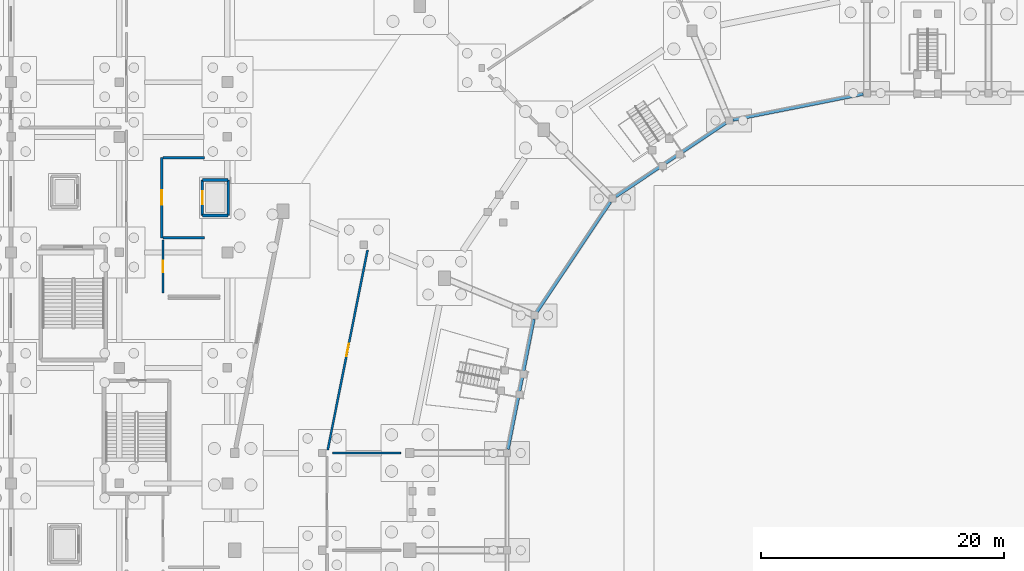
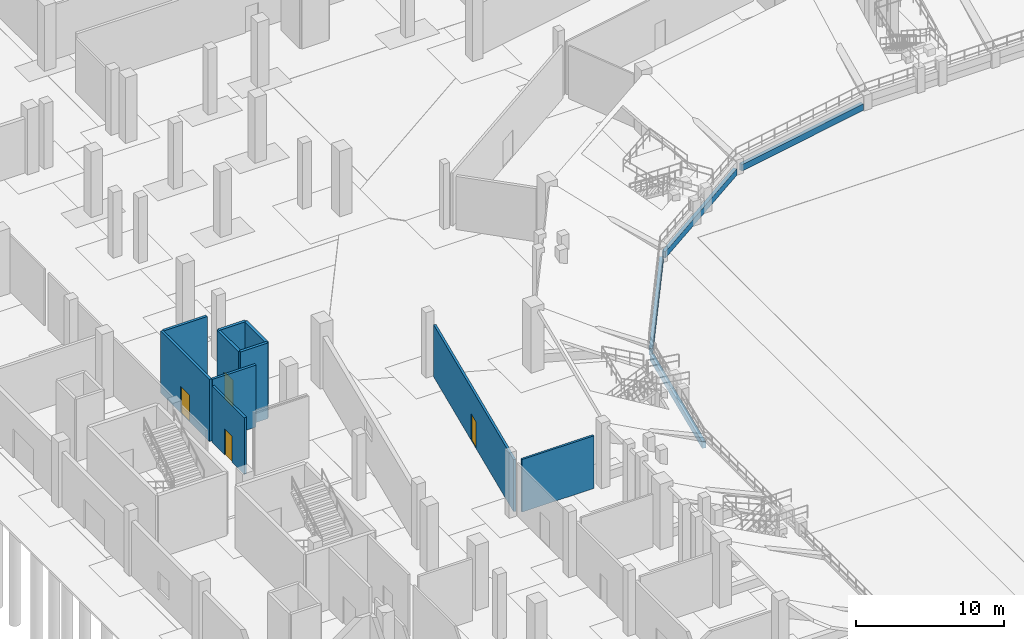
# One storey, part 30 of 68: 14 walls, 4 doors, 4 openings.
"""IFC4 building model written with IfcOpenShell, lengths in metres."""

from ifc_helpers import new_model, si_unit, direction, frame, frame_2d, origin, place, context, subcontext, project, spatial, rectangle, extrude, material, layer, layer_set, type_object, element, fill, save


model = new_model("IFC4")

# Units and contexts
model_context = context("Model", 3, precision=1e-05, world=origin(), true_north=direction((0.0, 1.0)))
body_context = subcontext(model_context, "Body", "Model", "MODEL_VIEW")
ifc_project = project(units=[si_unit("LENGTHUNIT", "METRE"), si_unit("AREAUNIT", "SQUARE_METRE"), si_unit("VOLUMEUNIT", "CUBIC_METRE"), si_unit("PLANEANGLEUNIT", "RADIAN"), si_unit("MASSUNIT", "GRAM", prefix="KILO")], contexts=[model_context])

# Site, building, storey
site_placement = place(None, origin())
site = spatial("IfcSite", under=ifc_project, at=site_placement, CompositionType="ELEMENT")
building_placement = place(site_placement, origin())
building = spatial("IfcBuilding", under=site, at=building_placement, Name="Candeia Ridge Stadium", CompositionType="ELEMENT")
storey_placement = place(building_placement, origin())
storey = spatial("IfcBuildingStorey", under=building, at=storey_placement, Name="L00", CompositionType="ELEMENT", Elevation=0.0)

# Wall
ifc_material_1 = material(Name="Gypsum Acoustic Twin-Stud Assembly", Category="gypsum")
ifc_layer_1 = layer(ifc_material_1, 0.159912109375, Name="Gypsum Acoustic Twin-Stud Assembly", Category="gypsum")
ifc_layer_set_1 = layer_set([ifc_layer_1], Name="Gypsum Acoustic Twin-Stud Assembly")
wall_type_1 = type_object("IfcWallType", Name="Club Dining Acoustic Partition 160", PredefinedType="PARTITIONING", material=ifc_layer_set_1)
wall_1_placement = place(storey_placement, frame((32.64990234375, 95.0, 0.0), z_axis=(0.0, 0.0, 1.0), x_axis=(-1.0, 0.0, 0.0)))
element("IfcWall", 1, at=wall_1_placement, inside=storey, type_object=wall_type_1, Name="Demising partition PT-L00-0131", PredefinedType="PARTITIONING", context=body_context, shape_type="SweptSolid", body=[
    extrude(rectangle(XDim=5.599853515625, YDim=0.159912109375, at=frame_2d((2.7998046875, 0.0))), origin(), (0.0, 0.0, 1.0), 4.344970703125),
])

# Wall, opening, door
ifc_layer_2 = layer(ifc_material_1, 0.179931640625, Name="Gypsum Acoustic Twin-Stud Assembly", Category="gypsum")
ifc_layer_set_2 = layer_set([ifc_layer_2], Name="Gypsum Acoustic Twin-Stud Assembly")
wall_type_2 = type_object("IfcWallType", Name="Corridor Fire Partition 180", PredefinedType="PARTITIONING", material=ifc_layer_set_2)
wall_2_placement = place(storey_placement, frame((13.10009765625, 108.166015625, 0.0), z_axis=(0.0, 0.0, 1.0), x_axis=(0.0, 1.0, 0.0)))
wall_2 = element("IfcWall", 2, at=wall_2_placement, inside=storey, type_object=wall_type_2, Name="Interior partition PT-L00-0018", PredefinedType="PARTITIONING", context=body_context, shape_type="SweptSolid", body=[
    extrude(rectangle(XDim=4.343994140625, YDim=0.179931640625, at=frame_2d((2.171875, 0.0))), origin(), (0.0, 0.0, 1.0), 4.66796875),
])
opening_1_placement = place(wall_2_placement, frame((1.69189453125, 0.0, 0.0)))
opening_1 = element("IfcOpeningElement", 3, at=opening_1_placement, cuts=wall_2, Name="Opening ID17", PredefinedType="OPENING", context=body_context, shape_type="SweptSolid", body=[
    extrude(rectangle(XDim=0.9599609375, YDim=2.14990234375, at=frame_2d((0.47998046875, 1.074951171875))), frame((0.0, 0.099853515625, 0.0), z_axis=(0.0, -1.0, 0.0), x_axis=(1.0, 0.0, 0.0)), (0.0, 0.0, 1.0), 0.199951171875),
])
ifc_material_2 = material(Name="Solid Core Cedar Veneer", Category="wood")
door_type_1 = type_object("IfcDoorType", Name="Ticketing Office Single Door 960x2150", OperationType="NOTDEFINED", PredefinedType="DOOR", material=ifc_material_2)
door_1_placement = place(opening_1_placement, frame((0.9599609375, 0.0, 0.0), z_axis=(0.0, 0.0, 1.0), x_axis=(-1.0, 0.0, 0.0)))
door_1 = element("IfcDoor", 4, at=door_1_placement, inside=storey, type_object=door_type_1, Name="Interior room door D-L00-0010", OperationType="SINGLE_SWING_LEFT", OverallHeight=2.14990234375, OverallWidth=0.9599609375, PredefinedType="DOOR", context=body_context, shape_type="SweptSolid", body=[
    extrude(rectangle(XDim=0.9599609375, YDim=2.14990234375, at=frame_2d((0.47998046875, 1.074951171875))), frame((0.0, 0.02490234375, 0.0), z_axis=(0.0, -1.0, 0.0), x_axis=(1.0, 0.0, 0.0)), (0.0, 0.0, 1.0), 0.050048828125),
])
fill(opening_1, door_1)

# Walls
ifc_material_3 = material(Name="Concrete C35/45", Category="concrete")
ifc_layer_3 = layer(ifc_material_3, 0.199951171875, Name="Concrete C35/45", Category="concrete")
ifc_layer_set_3 = layer_set([ifc_layer_3], Name="Concrete C35/45")
wall_type_3 = type_object("IfcWallType", Name="Firefighting Lobby Rated Wall 200", PredefinedType="SOLIDWALL", material=ifc_layer_set_3)
for number, where, z_axis, x_axis, name in (
    (5, (13.10009765625, 112.699951171875, 0.0), (0.0, 0.0, 1.0), (1.0, 0.0, 0.0), "Firefighting lift lobby FF2 rated wall L00 south"),
    (6, (16.5, 119.300048828125, 0.0), (0.0, 0.0, 1.0), (-1.0, 0.0, 0.0), "Firefighting lift lobby FF2 rated wall L00 north"),
):
    element("IfcWall", number, at=place(storey_placement, frame(where, z_axis=z_axis, x_axis=x_axis)), inside=storey, type_object=wall_type_3, Name=name, PredefinedType="SOLIDWALL", context=body_context, shape_type="SweptSolid", body=[
        extrude(rectangle(XDim=3.39990234375, YDim=0.199951171875, at=frame_2d((1.699951171875, 0.0))), origin(), (0.0, 0.0, 1.0), 5.1201171875),
    ])

# Wall, opening, door
wall_3_placement = place(storey_placement, frame((13.0, 119.300048828125, 0.0), z_axis=(0.0, 0.0, 1.0), x_axis=(0.0, -1.0, 0.0)))
wall_3 = element("IfcWall", 7, at=wall_3_placement, inside=storey, type_object=wall_type_3, Name="Firefighting lift lobby FF2 rated wall L00 entry", PredefinedType="SOLIDWALL", context=body_context, shape_type="SweptSolid", body=[
    extrude(rectangle(XDim=6.60009765625, YDim=0.199951171875, at=frame_2d((3.300048828125, 0.0))), origin(), (0.0, 0.0, 1.0), 5.1201171875),
])
opening_2_placement = place(wall_3_placement, frame((2.699951171875, 0.0, 0.0)))
opening_2 = element("IfcOpeningElement", 8, at=opening_2_placement, cuts=wall_3, Name="Opening FD02", PredefinedType="OPENING", context=body_context, shape_type="SweptSolid", body=[
    extrude(rectangle(XDim=1.199951171875, YDim=2.199951171875, at=frame_2d((0.60009765625, 1.10009765625))), frame((0.0, 0.10986328125, 0.0), z_axis=(0.0, -1.0, 0.0), x_axis=(1.0, 0.0, 0.0)), (0.0, 0.0, 1.0), 0.219970703125),
])
ifc_material_4 = material(Name="Galvanized Fire-Rated Steel", Category="steel")
door_type_2 = type_object("IfcDoorType", Name="Firefighting Lobby Fire Door 1200x2200", OperationType="NOTDEFINED", PredefinedType="DOOR", material=ifc_material_4)
door_2_placement = place(opening_2_placement, frame((1.199951171875, 0.0, 0.0), z_axis=(0.0, 0.0, 1.0), x_axis=(-1.0, 0.0, 0.0)))
door_2 = element("IfcDoor", 9, at=door_2_placement, inside=storey, type_object=door_type_2, Name="Firefighting lobby fire door FFD-FF2-L00", OperationType="SINGLE_SWING_LEFT", OverallHeight=2.199951171875, OverallWidth=1.199951171875, PredefinedType="DOOR", context=body_context, shape_type="SweptSolid", body=[
    extrude(rectangle(XDim=1.199951171875, YDim=2.199951171875, at=frame_2d((0.60009765625, 1.10009765625))), frame((0.0, 0.02490234375, 0.0), z_axis=(0.0, -1.0, 0.0), x_axis=(1.0, 0.0, 0.0)), (0.0, 0.0, 1.0), 0.050048828125),
])
fill(opening_2, door_2)

# Walls
ifc_material_5 = material(Name="Concrete C40/50", Category="concrete")
ifc_layer_4 = layer(ifc_material_5, 0.219970703125, Name="Concrete C40/50", Category="concrete")
ifc_layer_set_4 = layer_set([ifc_layer_4], Name="Concrete C40/50")
wall_type_4 = type_object("IfcWallType", Name="Lift & Riser Shaft Wall 220", PredefinedType="SHEAR", material=ifc_layer_set_4)
wall_4_placement = place(storey_placement, frame((16.340087890625, 114.5400390625, -1.10009765625), z_axis=(0.0, 0.0, 1.0), x_axis=(1.0, 0.0, 0.0)))
element("IfcWall", 10, at=wall_4_placement, inside=storey, type_object=wall_type_4, Name="Lift FF2 shaft wall L00 south", PredefinedType="SHEAR", context=body_context, shape_type="SweptSolid", body=[
    extrude(rectangle(XDim=2.119873046875, YDim=0.219970703125, at=frame_2d((1.06005859375, 0.0))), origin(), (0.0, 0.0, 1.0), 6.239990234375),
])
wall_5_placement = place(storey_placement, frame((18.4599609375, 114.5400390625, -1.10009765625), z_axis=(0.0, 0.0, 1.0), x_axis=(0.0, 1.0, 0.0)))
element("IfcWall", 11, at=wall_5_placement, inside=storey, type_object=wall_type_4, Name="Lift FF2 shaft wall L00 east", PredefinedType="SHEAR", context=body_context, shape_type="SweptSolid", body=[
    extrude(rectangle(XDim=2.919921875, YDim=0.219970703125, at=frame_2d((1.4599609375, 0.0))), origin(), (0.0, 0.0, 1.0), 6.239990234375),
])
wall_6_placement = place(storey_placement, frame((18.4599609375, 117.4599609375, -1.10009765625), z_axis=(0.0, 0.0, 1.0), x_axis=(-1.0, 0.0, 0.0)))
element("IfcWall", 12, at=wall_6_placement, inside=storey, type_object=wall_type_4, Name="Lift FF2 shaft wall L00 north", PredefinedType="SHEAR", context=body_context, shape_type="SweptSolid", body=[
    extrude(rectangle(XDim=2.119873046875, YDim=0.219970703125, at=frame_2d((1.06005859375, 0.0))), origin(), (0.0, 0.0, 1.0), 6.239990234375),
])

# Wall, opening, door
wall_7_placement = place(storey_placement, frame((16.340087890625, 117.4599609375, -1.10009765625), z_axis=(0.0, 0.0, 1.0), x_axis=(0.0, -1.0, 0.0)))
wall_7 = element("IfcWall", 13, at=wall_7_placement, inside=storey, type_object=wall_type_4, Name="Lift FF2 shaft wall L00 west", PredefinedType="SHEAR", context=body_context, shape_type="SweptSolid", body=[
    extrude(rectangle(XDim=2.919921875, YDim=0.219970703125, at=frame_2d((1.4599609375, 0.0))), origin(), (0.0, 0.0, 1.0), 6.239990234375),
])
opening_3_placement = place(wall_7_placement, frame((0.909912109375, 0.0, 1.10009765625)))
opening_3 = element("IfcOpeningElement", 14, at=opening_3_placement, cuts=wall_7, Name="Opening LD01", PredefinedType="OPENING", context=body_context, shape_type="SweptSolid", body=[
    extrude(rectangle(XDim=1.10009765625, YDim=2.199951171875, at=frame_2d((0.550048828125, 1.10009765625))), frame((0.0, 0.119873046875, 0.0), z_axis=(0.0, -1.0, 0.0), x_axis=(1.0, 0.0, 0.0)), (0.0, 0.0, 1.0), 0.239990234375),
])
ifc_material_6 = material(Name="Brushed Stainless Steel", Category="steel")
door_type_3 = type_object("IfcDoorType", Name="Firefighting Lift Landing Door 1100x2200", OperationType="NOTDEFINED", PredefinedType="DOOR", material=ifc_material_6)
door_3_placement = place(opening_3_placement, origin())
door_3 = element("IfcDoor", 15, at=door_3_placement, inside=storey, type_object=door_type_3, Name="Lift landing sliding door LD-FF2-L00", OperationType="DOUBLE_DOOR_SLIDING", OverallHeight=2.199951171875, OverallWidth=1.10009765625, PredefinedType="DOOR", context=body_context, shape_type="SweptSolid", body=[
    extrude(rectangle(XDim=1.10009765625, YDim=2.199951171875, at=frame_2d((0.550048828125, 1.10009765625))), frame((0.0, 0.02490234375, 0.0), z_axis=(0.0, -1.0, 0.0), x_axis=(1.0, 0.0, 0.0)), (0.0, 0.0, 1.0), 0.050048828125),
])
fill(opening_3, door_3)

ifc_layer_5 = layer(ifc_material_1, 0.175048828125, Name="Gypsum Acoustic Twin-Stud Assembly", Category="gypsum")
ifc_layer_set_5 = layer_set([ifc_layer_5], Name="Gypsum Acoustic Twin-Stud Assembly")
wall_type_5 = type_object("IfcWallType", Name="Museum Acoustic Gallery Wall 175", PredefinedType="PARTITIONING", material=ifc_layer_set_5)
wall_8_placement = place(storey_placement, frame((26.648681640625, 95.2451171875, 0.0), z_axis=(0.0, 0.0, 1.0), x_axis=(0.195100557291, 0.980783244425, 0.0)))
wall_8 = element("IfcWall", 16, at=wall_8_placement, inside=storey, type_object=wall_type_5, Name="Interior partition PT-L00-0130", PredefinedType="PARTITIONING", context=body_context, shape_type="SweptSolid", body=[
    extrude(rectangle(XDim=16.783203125, YDim=0.175048828125, at=frame_2d((8.3916015625, 0.0))), origin(), (0.0, 0.0, 1.0), 4.304931640625),
])
opening_4_placement = place(wall_8_placement, frame((7.86669921875, 0.0, 0.0)))
opening_4 = element("IfcOpeningElement", 17, at=opening_4_placement, cuts=wall_8, Name="Opening ID01", PredefinedType="OPENING", context=body_context, shape_type="SweptSolid", body=[
    extrude(rectangle(XDim=1.050048828125, YDim=2.199951171875, at=frame_2d((0.52490234375, 1.10009765625))), frame((0.0, 0.097412109375, 0.0), z_axis=(0.0, -1.0, 0.0), x_axis=(1.0, 0.0, 0.0)), (0.0, 0.0, 1.0), 0.195068359375),
])
ifc_material_7 = material(Name="Western Red Cedar Acoustic Veneer", Category="wood")
door_type_4 = type_object("IfcDoorType", Name="Hospitality Suite Entrance Door 1050x2200", OperationType="NOTDEFINED", PredefinedType="DOOR", material=ifc_material_7)
door_4_placement = place(opening_4_placement, frame((1.050048828125, 0.0, 0.0), z_axis=(0.0, 0.0, 1.0), x_axis=(-1.0, 0.0, 0.0)))
door_4 = element("IfcDoor", 18, at=door_4_placement, inside=storey, type_object=door_type_4, Name="Interior room door D-L00-0069", OperationType="SINGLE_SWING_LEFT", OverallHeight=2.199951171875, OverallWidth=1.050048828125, PredefinedType="DOOR", context=body_context, shape_type="SweptSolid", body=[
    extrude(rectangle(XDim=1.050048828125, YDim=2.199951171875, at=frame_2d((0.52490234375, 1.10009765625))), frame((0.0, 0.02490234375, 0.0), z_axis=(0.0, -1.0, 0.0), x_axis=(1.0, 0.0, 0.0)), (0.0, 0.0, 1.0), 0.050048828125),
])
fill(opening_4, door_4)

# Walls
ifc_material_8 = material(Name="Concrete C45/55", Category="concrete")
ifc_layer_6 = layer(ifc_material_8, 0.264892578125, Name="Concrete C45/55", Category="concrete")
ifc_layer_set_6 = layer_set([ifc_layer_6], Name="Concrete C45/55")
wall_type_6 = type_object("IfcWallType", Name="Pitch-Side Moat Retaining Wall 265", PredefinedType="SOLIDWALL", material=ifc_layer_set_6)
for number, where, z_axis, x_axis, name in (
    (19, (70.68603515625, 124.53759765625, 0.0), (0.0, 0.0, 1.0), (-0.980783282406, -0.195100366358, 0.0), "Pitch-side moat wall EW-L00-0016"),
    (20, (59.406494140625, 122.169189453125, 0.0), (0.0, 0.0, 1.0), (-0.831464537633, -0.555577827724, 0.0), "Pitch-side moat wall EW-L00-0017"),
    (21, (49.891845703125, 115.664306640625, 0.0), (0.0, 0.0, 1.0), (-0.555577827724, -0.831464537633, 0.0), "Pitch-side moat wall EW-L00-0018"),
    (22, (43.5908203125, 106.013671875, 0.0), (0.0, 0.0, 1.0), (-0.195100366358, -0.980783282406, 0.0), "Pitch-side moat wall EW-L00-0019"),
):
    element("IfcWall", number, at=place(storey_placement, frame(where, z_axis=z_axis, x_axis=x_axis)), inside=storey, type_object=wall_type_6, Name=name, PredefinedType="SOLIDWALL", context=body_context, shape_type="SweptSolid", body=[
        extrude(rectangle(XDim=10.909423828125, YDim=0.264892578125, at=frame_2d((5.45458984375, 0.0))), origin(), (0.0, 0.0, 1.0), 0.5400390625),
    ])

save(model, "model.ifc")
